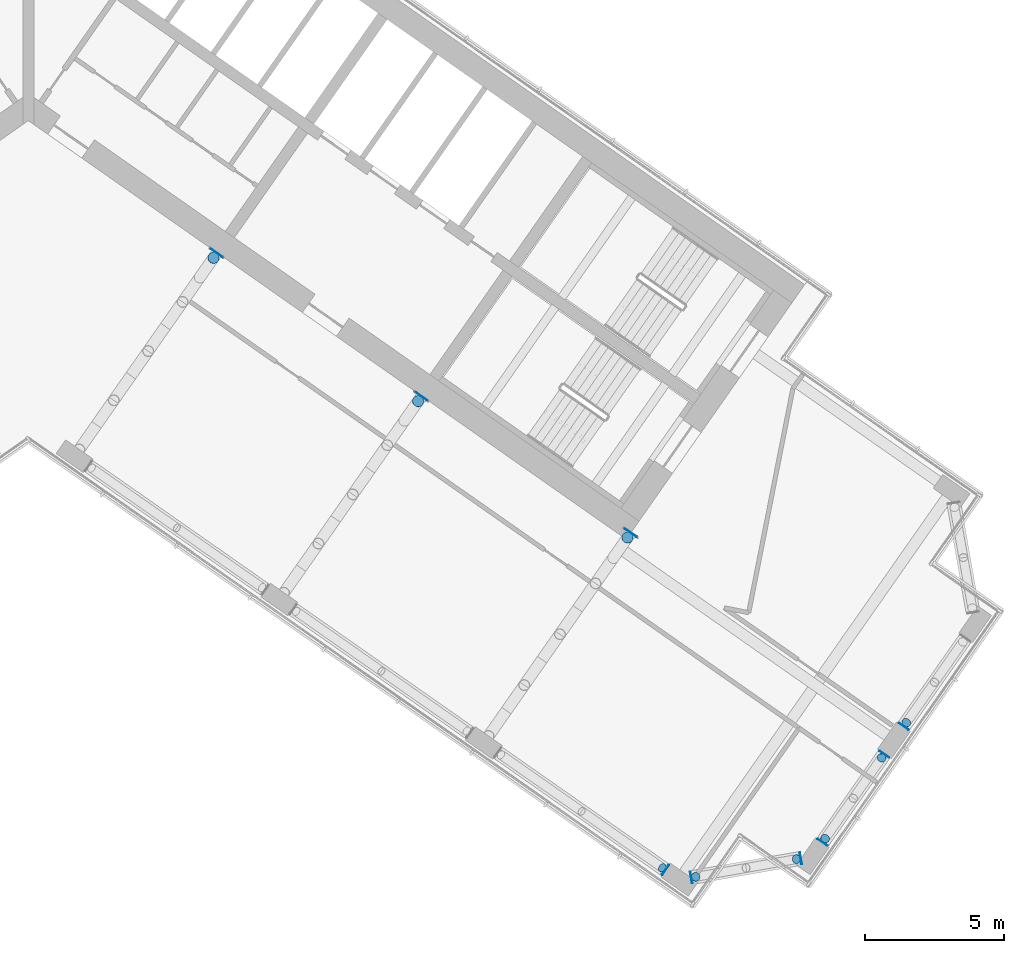
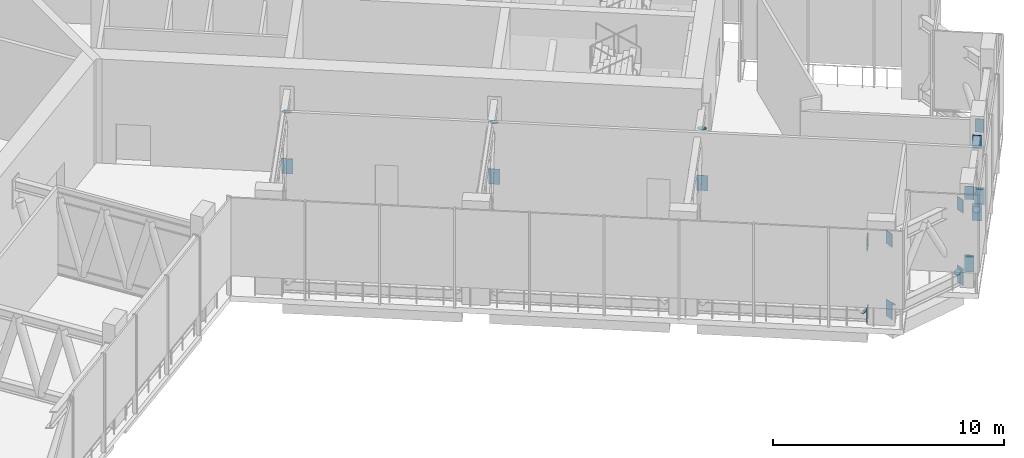
# One storey, part 11 of 19: 24 discrete accessories.
"""IFC4 building model written with IfcOpenShell, lengths in metres."""

from ifc_helpers import new_model, si_unit, direction, frame, origin, origin_2d, place, context, subcontext, project, spatial, rectangle, circle, extrude, material, layer, layer_set, material_profile, profile_set, type_object, element, save


model = new_model("IFC4")

# Units and contexts
model_context = context("Model", 3, precision=1e-05, world=origin(), true_north=direction((0.0, 1.0)))
body_context = subcontext(model_context, "Body", "Model", "MODEL_VIEW")
ifc_project = project(units=[si_unit("LENGTHUNIT", "METRE"), si_unit("AREAUNIT", "SQUARE_METRE"), si_unit("VOLUMEUNIT", "CUBIC_METRE"), si_unit("PLANEANGLEUNIT", "RADIAN"), si_unit("MASSUNIT", "GRAM", prefix="KILO")], contexts=[model_context])

# Site, building, storey
site_placement = place(None, origin())
site = spatial("IfcSite", under=ifc_project, at=site_placement, CompositionType="ELEMENT")
building_placement = place(site_placement, origin())
building = spatial("IfcBuilding", under=site, at=building_placement, Name="Tel Ilan Convention Tower", CompositionType="ELEMENT")
storey_placement = place(building_placement, frame((0.0, 0.0, 213.89990234375)))
storey = spatial("IfcBuildingStorey", under=building, at=storey_placement, Name="L50", CompositionType="ELEMENT", Elevation=213.89990234375)

# Discrete accessories
ifc_material_1 = material(Name="Steel S355", Category="steel")
ifc_layer_1 = layer(ifc_material_1, 0.030029296875)
ifc_layer_set_1 = layer_set([ifc_layer_1], Name="Cast-in Plate 30 mm Steel S355")
discrete_accessory_type_1 = type_object("IfcDiscreteAccessoryType", Name="Cast-in Plate 30 mm Steel S355", PredefinedType="ANCHORPLATE", material=ifc_layer_set_1)
for number, where, z_axis, x_axis, name in (
    (1, (6.790283203125, -5.99365234375, -0.0498046875), (0.0, 0.0, 1.0), (0.573576436351, 0.819152044289, 0.0), "L50 E-F1 outrigger cast-in plate"),
    (2, (14.16259765625, -11.15576171875, -0.0498046875), (0.0, 0.0, 1.0), (0.573576436351, 0.819152044289, 0.0), "L50 E-F2 outrigger cast-in plate"),
    (3, (21.70703125, -16.072265625, -0.0498046875), (0.0, 0.0, 1.0), (0.573576436351, 0.819152044289, 0.0), "L50 E-F3 outrigger cast-in plate"),
):
    element("IfcDiscreteAccessory", number, at=place(storey_placement, frame(where, z_axis=z_axis, x_axis=x_axis)), inside=storey, type_object=discrete_accessory_type_1, Name=name, PredefinedType="ANCHORPLATE", context=body_context, shape_type="SweptSolid", body=[
        extrude(rectangle(XDim=0.030029296875, YDim=0.5, at=origin_2d()), origin(), (0.0, 0.0, 1.0), 0.800048828125),
    ])
ifc_material_2 = material(Name="Steel S355", Category="steel")
ifc_material_profile_1 = material_profile(ifc_material_2, circle(Radius=0.161865234375, at=origin_2d()), Name="End Cap Disc 324 mm Steel S355")
ifc_profile_set_1 = profile_set([ifc_material_profile_1], Name="Steel S355")
discrete_accessory_type_2 = type_object("IfcDiscreteAccessoryType", Name="End Cap Disc 324 mm Steel S355", PredefinedType="BRACKET", material=ifc_profile_set_1)
discrete_accessory_1_placement = place(storey_placement, frame((22.836181640625, -28.13671875, 0.510498046875), z_axis=(0.562567508496, -0.403581038704, -0.721553978288), x_axis=(0.582907875452, 0.81253825063, 0.0)))
element("IfcDiscreteAccessory", 4, at=discrete_accessory_1_placement, inside=storey, type_object=discrete_accessory_type_2, Name="L50 E-F3-E-FC belt end cap", PredefinedType="BRACKET", context=body_context, shape_type="SweptSolid", body=[
    extrude(circle(Radius=0.161865234375, at=origin_2d()), origin(), (0.0, 0.0, 1.0), 0.02001953125),
])
discrete_accessory_2_placement = place(storey_placement, frame((24.04736328125, -28.46533203125, 0.686767578125), z_axis=(-0.460074051118, -0.084750483101, -0.883826466622), x_axis=(0.181162429477, -0.983453188589, 0.0)))
element("IfcDiscreteAccessory", 5, at=discrete_accessory_2_placement, inside=storey, type_object=discrete_accessory_type_2, Name="L50 E-FC-E-E1 belt end cap", PredefinedType="BRACKET", context=body_context, shape_type="SweptSolid", body=[
    extrude(circle(Radius=0.161865234375, at=origin_2d()), origin(), (0.0, 0.0, 1.0), 0.020263671875),
])
for number, where, z_axis, x_axis, name in (
    (6, (27.6669921875, -27.8271484375, 0.686767578125), (0.450449769467, 0.085220226656, -0.888725220839), (-0.185891668105, 0.982570245697, 0.0), "L50 E-FC-E-E1 belt end cap"),
    (7, (28.7060546875, -27.085205078125, 0.699462890625), (-0.257132147989, -0.367331639984, -0.89384032396), (0.819231920519, -0.573462344363, 0.0), "L50 E-E1-E-E2 belt end cap"),
    (8, (30.73828125, -24.1826171875, 0.699462890625), (0.267300692978, 0.376650976469, -0.886952299427), (-0.815507144735, 0.578747005941, 0.0), "L50 E-E1-E-E2 belt end cap"),
    (9, (31.63134765625, -22.907470703125, 0.699462890625), (-0.257132147989, -0.367331639984, -0.89384032396), (0.819231920519, -0.573462344363, 0.0), "L50 E-E2-E-E3 belt end cap"),
):
    element("IfcDiscreteAccessory", number, at=place(storey_placement, frame(where, z_axis=z_axis, x_axis=x_axis)), inside=storey, type_object=discrete_accessory_type_2, Name=name, PredefinedType="BRACKET", context=body_context, shape_type="SweptSolid", body=[
        extrude(circle(Radius=0.161865234375, at=origin_2d()), origin(), (0.0, 0.0, 1.0), 0.02001953125),
    ])
ifc_material_3 = material(Name="Steel S355", Category="steel")
ifc_material_profile_2 = material_profile(ifc_material_3, circle(Radius=0.203125, at=origin_2d()), Name="End Cap Disc 406 mm Steel S355")
ifc_profile_set_2 = profile_set([ifc_material_profile_2], Name="Steel S355")
discrete_accessory_type_3 = type_object("IfcDiscreteAccessoryType", Name="End Cap Disc 406 mm Steel S355", PredefinedType="BRACKET", material=ifc_profile_set_2)
for number, where, z_axis, x_axis, name in (
    (10, (6.666259765625, -6.17041015625, 3.35400390625), (0.1584188281, 0.2193491466, 0.962699032299), (-0.8106792284, 0.585490553844, 0.0), "L50 E-F1 outrigger end cap"),
    (11, (14.038818359375, -11.332763671875, 3.35400390625), (0.146504967391, 0.219757451087, 0.964491035325), (-0.832050294338, 0.554700196225, 0.0), "L50 E-F2 outrigger end cap"),
    (12, (21.583251953125, -16.248779296875, 3.382568359375), (0.1584188281, 0.2193491466, 0.962699032299), (-0.8106792284, 0.585490553844, 0.0), "L50 E-F3 outrigger end cap"),
):
    element("IfcDiscreteAccessory", number, at=place(storey_placement, frame(where, z_axis=z_axis, x_axis=x_axis)), inside=storey, type_object=discrete_accessory_type_3, Name=name, PredefinedType="BRACKET", context=body_context, shape_type="SweptSolid", body=[
        extrude(circle(Radius=0.203125, at=origin_2d()), origin(), (0.0, 0.0, 1.0), 0.02001953125),
    ])
ifc_material_4 = material(Name="Steel S355", Category="steel")
ifc_layer_2 = layer(ifc_material_4, 0.02490234375)
ifc_layer_set_2 = layer_set([ifc_layer_2], Name="End Plate 25 mm Steel S355")
discrete_accessory_type_4 = type_object("IfcDiscreteAccessoryType", Name="End Plate 25 mm Steel S355", PredefinedType="BRACKET", material=ifc_layer_set_2)
discrete_accessory_3_placement = place(storey_placement, frame((22.952880859375, -28.218505859375, 0.0), z_axis=(0.0, 0.0, 1.0), x_axis=(0.819152044289, -0.573576436351, 0.0)))
element("IfcDiscreteAccessory", 13, at=discrete_accessory_3_placement, inside=storey, type_object=discrete_accessory_type_4, Name="L50 E-F3-E-FC belt end plate", PredefinedType="BRACKET", context=body_context, shape_type="SweptSolid", body=[
    extrude(rectangle(XDim=0.02490234375, YDim=0.423828125, at=origin_2d()), origin(), (0.0, 0.0, 1.0), 0.7080078125),
])
discrete_accessory_4_placement = place(storey_placement, frame((22.952880859375, -28.218505859375, 3.8203125), z_axis=(0.0, 0.0, 1.0), x_axis=(0.819152044289, -0.573576436351, 0.0)))
element("IfcDiscreteAccessory", 14, at=discrete_accessory_4_placement, inside=storey, type_object=discrete_accessory_type_4, Name="L50 E-F3-E-FC belt end plate", PredefinedType="BRACKET", context=body_context, shape_type="SweptSolid", body=[
    extrude(rectangle(XDim=0.02490234375, YDim=0.39990234375, at=origin_2d()), origin(), (0.0, 0.0, 1.0), 0.699951171875),
])
discrete_accessory_5_placement = place(storey_placement, frame((23.885009765625, -28.493896484375, 0.0), z_axis=(0.0, 0.0, 1.0), x_axis=(-0.984807753012, -0.173648177667, 0.0)))
element("IfcDiscreteAccessory", 15, at=discrete_accessory_5_placement, inside=storey, type_object=discrete_accessory_type_4, Name="L50 E-FC-E-E1 belt end plate", PredefinedType="BRACKET", context=body_context, shape_type="SweptSolid", body=[
    extrude(rectangle(XDim=0.02490234375, YDim=0.423828125, at=origin_2d()), origin(), (0.0, 0.0, 1.0), 0.880859375),
])
discrete_accessory_6_placement = place(storey_placement, frame((23.885009765625, -28.493896484375, 3.8203125), z_axis=(0.0, 0.0, 1.0), x_axis=(-0.984807753012, -0.173648177667, 0.0)))
element("IfcDiscreteAccessory", 16, at=discrete_accessory_6_placement, inside=storey, type_object=discrete_accessory_type_4, Name="L50 E-FC-E-E1 belt end plate", PredefinedType="BRACKET", context=body_context, shape_type="SweptSolid", body=[
    extrude(rectangle(XDim=0.02490234375, YDim=0.39990234375, at=origin_2d()), origin(), (0.0, 0.0, 1.0), 0.699951171875),
])
discrete_accessory_7_placement = place(storey_placement, frame((27.82958984375, -27.798583984375, 0.0), z_axis=(0.0, 0.0, 1.0), x_axis=(0.984807753012, 0.173648177667, 0.0)))
element("IfcDiscreteAccessory", 17, at=discrete_accessory_7_placement, inside=storey, type_object=discrete_accessory_type_4, Name="L50 E-FC-E-E1 belt end plate", PredefinedType="BRACKET", context=body_context, shape_type="SweptSolid", body=[
    extrude(rectangle(XDim=0.02490234375, YDim=0.423828125, at=origin_2d()), origin(), (0.0, 0.0, 1.0), 0.880859375),
])
discrete_accessory_8_placement = place(storey_placement, frame((27.82958984375, -27.798583984375, 3.8203125), z_axis=(0.0, 0.0, 1.0), x_axis=(0.984807753012, 0.173648177667, 0.0)))
element("IfcDiscreteAccessory", 18, at=discrete_accessory_8_placement, inside=storey, type_object=discrete_accessory_type_4, Name="L50 E-FC-E-E1 belt end plate", PredefinedType="BRACKET", context=body_context, shape_type="SweptSolid", body=[
    extrude(rectangle(XDim=0.02490234375, YDim=0.39990234375, at=origin_2d()), origin(), (0.0, 0.0, 1.0), 0.699951171875),
])
discrete_accessory_9_placement = place(storey_placement, frame((28.611083984375, -27.220947265625, 0.0), z_axis=(0.0, 0.0, 1.0), x_axis=(-0.573576436351, -0.819152044289, 0.0)))
element("IfcDiscreteAccessory", 19, at=discrete_accessory_9_placement, inside=storey, type_object=discrete_accessory_type_4, Name="L50 E-E1-E-E2 belt end plate", PredefinedType="BRACKET", context=body_context, shape_type="SweptSolid", body=[
    extrude(rectangle(XDim=0.02490234375, YDim=0.423828125, at=origin_2d()), origin(), (0.0, 0.0, 1.0), 0.8935546875),
])
discrete_accessory_10_placement = place(storey_placement, frame((28.611083984375, -27.220947265625, 3.8203125), z_axis=(0.0, 0.0, 1.0), x_axis=(-0.573576436351, -0.819152044289, 0.0)))
element("IfcDiscreteAccessory", 20, at=discrete_accessory_10_placement, inside=storey, type_object=discrete_accessory_type_4, Name="L50 E-E1-E-E2 belt end plate", PredefinedType="BRACKET", context=body_context, shape_type="SweptSolid", body=[
    extrude(rectangle(XDim=0.02490234375, YDim=0.39990234375, at=origin_2d()), origin(), (0.0, 0.0, 1.0), 0.699951171875),
])
discrete_accessory_11_placement = place(storey_placement, frame((30.83349609375, -24.046630859375, 0.0), z_axis=(0.0, 0.0, 1.0), x_axis=(0.573576436351, 0.819152044289, 0.0)))
element("IfcDiscreteAccessory", 21, at=discrete_accessory_11_placement, inside=storey, type_object=discrete_accessory_type_4, Name="L50 E-E1-E-E2 belt end plate", PredefinedType="BRACKET", context=body_context, shape_type="SweptSolid", body=[
    extrude(rectangle(XDim=0.02490234375, YDim=0.423828125, at=origin_2d()), origin(), (0.0, 0.0, 1.0), 0.8935546875),
])
discrete_accessory_12_placement = place(storey_placement, frame((30.83349609375, -24.046630859375, 3.8203125), z_axis=(0.0, 0.0, 1.0), x_axis=(0.573576436351, 0.819152044289, 0.0)))
element("IfcDiscreteAccessory", 22, at=discrete_accessory_12_placement, inside=storey, type_object=discrete_accessory_type_4, Name="L50 E-E1-E-E2 belt end plate", PredefinedType="BRACKET", context=body_context, shape_type="SweptSolid", body=[
    extrude(rectangle(XDim=0.02490234375, YDim=0.39990234375, at=origin_2d()), origin(), (0.0, 0.0, 1.0), 0.699951171875),
])
discrete_accessory_13_placement = place(storey_placement, frame((31.5361328125, -23.043212890625, 0.0), z_axis=(0.0, 0.0, 1.0), x_axis=(-0.573576436351, -0.819152044289, 0.0)))
element("IfcDiscreteAccessory", 23, at=discrete_accessory_13_placement, inside=storey, type_object=discrete_accessory_type_4, Name="L50 E-E2-E-E3 belt end plate", PredefinedType="BRACKET", context=body_context, shape_type="SweptSolid", body=[
    extrude(rectangle(XDim=0.02490234375, YDim=0.423828125, at=origin_2d()), origin(), (0.0, 0.0, 1.0), 0.8935546875),
])
discrete_accessory_14_placement = place(storey_placement, frame((31.5361328125, -23.043212890625, 3.8203125), z_axis=(0.0, 0.0, 1.0), x_axis=(-0.573576436351, -0.819152044289, 0.0)))
element("IfcDiscreteAccessory", 24, at=discrete_accessory_14_placement, inside=storey, type_object=discrete_accessory_type_4, Name="L50 E-E2-E-E3 belt end plate", PredefinedType="BRACKET", context=body_context, shape_type="SweptSolid", body=[
    extrude(rectangle(XDim=0.02490234375, YDim=0.39990234375, at=origin_2d()), origin(), (0.0, 0.0, 1.0), 0.699951171875),
])

save(model, "model.ifc")
